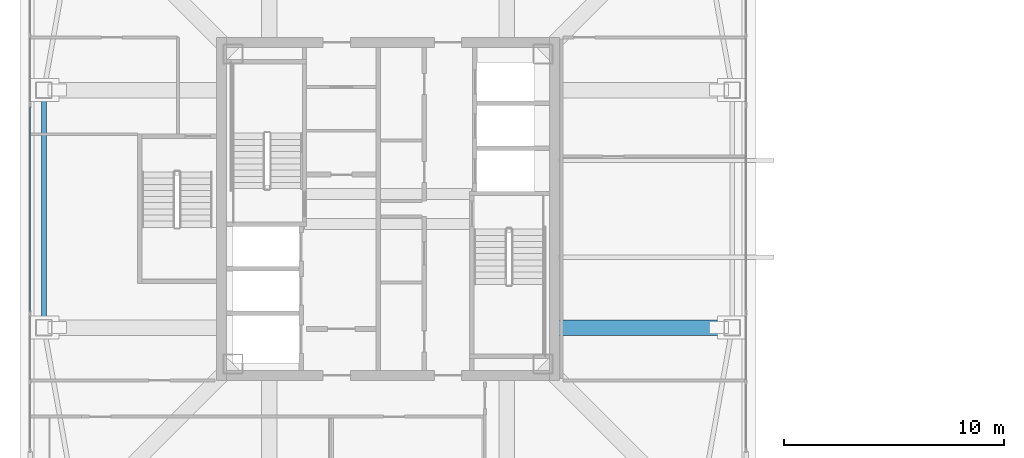
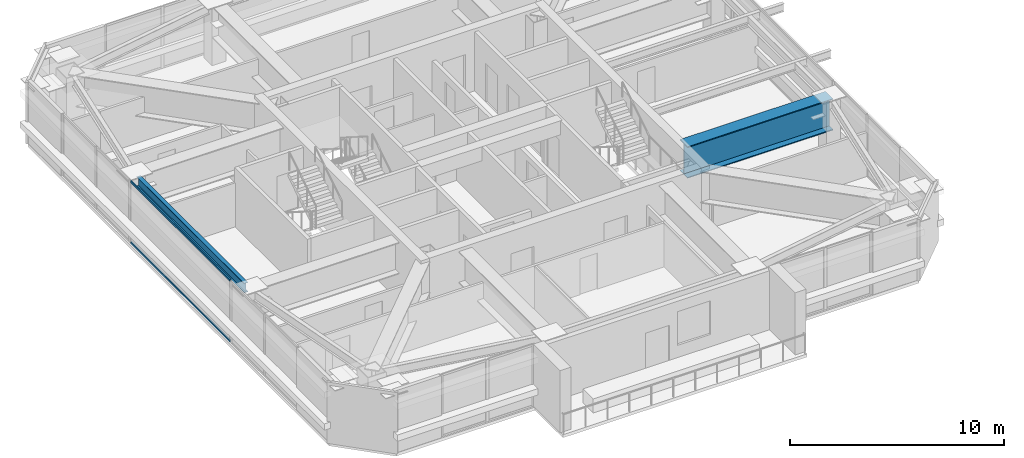
# One storey, part 7 of 40: 2 beams, 2 members, 1 element without a shape of its own.
"""IFC4 building model written with IfcOpenShell, lengths in metres."""

import ifcopenshell
import ifcopenshell.guid

model = None  # the IFC model being written
_history = None  # IfcOwnerHistory: only IFC2X3 demands one
_inside = {}  # id of a spatial element -> (the spatial element, [elements in it])
_under = {}  # id of a project, library or spatial element -> (it, [spatial elements below it])
_declared = {}  # id of a project -> (the project, [libraries it declares])
_typed = {}  # id of a type object -> (the type object, [elements of that type])
_made_of = {}  # id of a material, layer set ... -> (it, [elements and type objects made of it])


def new_model(schema):
    """Start an empty IFC model of exactly this schema.

    Asked for "IFC4X3", IfcOpenShell would pick the latest addendum, in which some entities
    have other attributes; the version numbers below select the first issue.
    IFC2X3 requires an IfcOwnerHistory on every rooted entity: one is made here for all.
    """
    global model, _history
    if schema == "IFC4X3":
        model = ifcopenshell.file(schema_version=(4, 3, 0, 0))
    else:
        model = ifcopenshell.file(schema=schema)
    _inside.clear()
    _under.clear()
    _declared.clear()
    _typed.clear()
    _made_of.clear()
    _history = None
    if model.schema == "IFC2X3":
        org = make("IfcOrganization", Name="unknown")
        user = make(
            "IfcPersonAndOrganization",
            ThePerson=make("IfcPerson", FamilyName="unknown"),
            TheOrganization=org,
        )
        app = make(
            "IfcApplication",
            ApplicationDeveloper=org,
            Version="unknown",
            ApplicationFullName="unknown",
            ApplicationIdentifier="unknown",
        )
        _history = make(
            "IfcOwnerHistory",
            OwningUser=user,
            OwningApplication=app,
            ChangeAction="ADDED",
            CreationDate=0,
        )
    return model


def make(cls, **values):
    """One entity of the class cls with the attributes given. An attribute that is None is left unset."""
    return model.create_entity(
        cls, **{name: value for name, value in values.items() if value is not None}
    )


def rooted(cls, **values):
    """An entity with a GlobalId (a new one), such as an element, a storey or a relation."""
    return make(cls, GlobalId=ifcopenshell.guid.new(), OwnerHistory=_history, **values)


def si_unit(unit_type, name, prefix=None):
    """IfcSIUnit, for example si_unit("LENGTHUNIT", "METRE", prefix="MILLI")."""
    return make("IfcSIUnit", UnitType=unit_type, Prefix=prefix, Name=name)


def assignment(units):
    """IfcUnitAssignment: the units of a project."""
    return None if units is None else make("IfcUnitAssignment", Units=units)


def point(xyz):
    """IfcCartesianPoint."""
    return None if xyz is None else make("IfcCartesianPoint", Coordinates=xyz)


def direction(xyz):
    """IfcDirection."""
    return None if xyz is None else make("IfcDirection", DirectionRatios=xyz)


def frame(location, z_axis=None, x_axis=None):
    """IfcAxis2Placement3D, a coordinate frame: its origin and axes. An axis left out is left unset."""
    return make(
        "IfcAxis2Placement3D",
        Location=point(location),
        Axis=direction(z_axis),
        RefDirection=direction(x_axis),
    )


def frame_2d(location, x_axis=None):
    """IfcAxis2Placement2D, a coordinate frame in the plane: its origin and x axis."""
    return make(
        "IfcAxis2Placement2D", Location=point(location), RefDirection=direction(x_axis)
    )


def origin():
    """The frame at (0, 0, 0) with its axes left unset."""
    return frame((0.0, 0.0, 0.0))


def origin_2d():
    """The frame at (0, 0) in the plane with its x axis left unset."""
    return frame_2d((0.0, 0.0))


def place(relative_to, where):
    """IfcLocalPlacement: puts the frame where relative to a parent placement (None: the world)."""
    return make(
        "IfcLocalPlacement", PlacementRelTo=relative_to, RelativePlacement=where
    )


def context(
    kind, dimensions, precision=None, world=None, true_north=None, identifier=None
):
    """IfcGeometricRepresentationContext, for example the 3D "Model" context."""
    return make(
        "IfcGeometricRepresentationContext",
        ContextIdentifier=identifier,
        ContextType=kind,
        CoordinateSpaceDimension=dimensions,
        Precision=precision,
        WorldCoordinateSystem=world,
        TrueNorth=true_north,
    )


def subcontext(parent, identifier, kind, view, scale=None):
    """IfcGeometricRepresentationSubContext, for example "Body" below "Model"."""
    return make(
        "IfcGeometricRepresentationSubContext",
        ContextIdentifier=identifier,
        ContextType=kind,
        ParentContext=parent,
        TargetScale=scale,
        TargetView=view,
    )


def project(units=None, contexts=None):
    """IfcProject with its units and contexts."""
    return rooted(
        "IfcProject",
        Name="project",
        RepresentationContexts=contexts,
        UnitsInContext=assignment(units),
    )


def spatial(cls, under=None, at=None, **own):
    """A site, building, storey or space (cls), placed at a placement, below another one or the project."""
    s = rooted(cls, ObjectPlacement=at, **own)
    if under is not None:
        _under.setdefault(under.id(), (under, []))[1].append(s)
    return s


def profile(cls, at=None, kind="AREA", **sizes):
    """A parametric profile (cls). Its sizes go by their IFC names, for example OverallWidth=200.0."""
    return make(cls, ProfileType=kind, Position=at, **sizes)


def hollow_rectangle(**sizes):
    """IfcRectangleHollowProfileDef."""
    return profile("IfcRectangleHollowProfileDef", **sizes)


def i_section(**sizes):
    """IfcIShapeProfileDef."""
    return profile("IfcIShapeProfileDef", **sizes)


def extrude(swept, where, along, depth):
    """IfcExtrudedAreaSolid: the profile swept, set in the frame where, extruded along a direction by depth."""
    return make(
        "IfcExtrudedAreaSolid",
        SweptArea=swept,
        Position=where,
        ExtrudedDirection=direction(along),
        Depth=depth,
    )


def shape(context_of_items, identifier, shape_type, items):
    """IfcShapeRepresentation: the items that make up one representation, for example the "Body"."""
    return make(
        "IfcShapeRepresentation",
        ContextOfItems=context_of_items,
        RepresentationIdentifier=identifier,
        RepresentationType=shape_type,
        Items=items,
    )


def material(Name=None, Category=None):
    """IfcMaterial."""
    return make("IfcMaterial", Name=Name, Category=Category)


def material_profile(
    of_material, cross_section, Name=None, Category=None, Priority=None
):
    """IfcMaterialProfile: a cross section and its material."""
    return make(
        "IfcMaterialProfile",
        Name=Name,
        Material=of_material,
        Profile=cross_section,
        Priority=Priority,
        Category=Category,
    )


def profile_set(profiles, Name=None, composite=None):
    """IfcMaterialProfileSet."""
    return make(
        "IfcMaterialProfileSet",
        Name=Name,
        MaterialProfiles=profiles,
        CompositeProfile=composite,
    )


def made_of(thing, what):
    """Note that an element or type object is made of a material, layer set ...; save() writes the relation."""
    if what is not None:
        _made_of.setdefault(what.id(), (what, []))[1].append(thing)
    return thing


def type_object(cls, material=None, **own):
    """A type object (cls), such as IfcWallType, which elements share."""
    return made_of(rooted(cls, **own), material)


def element(
    cls,
    number,
    at=None,
    inside=None,
    cuts=None,
    type_object=None,
    material=None,
    context=None,
    identifier="Body",
    shape_type=None,
    held_by="IfcProductDefinitionShape",
    body=None,
    shapes=None,
    **own,
):
    """One element of the class cls, such as IfcWall. Its Tag is "e" and its number.

    at: its placement. inside: the storey or other place that contains it. cuts: it is an
    opening in that element (IfcRelVoidsElement). A single representation is given by context,
    identifier, shape_type and body (its items); several are given by shapes. held_by: the class
    of the entity that holds the representations. save() writes the other relations.
    """
    e = rooted(cls, Tag="e%d" % number, ObjectPlacement=at, **own)
    if body is not None:
        shapes = [shape(context, identifier, shape_type, body)]
    if shapes is not None:
        e.Representation = make(held_by, Representations=shapes)
    if inside is not None:
        _inside.setdefault(inside.id(), (inside, []))[1].append(e)
    if cuts is not None:
        rooted(
            "IfcRelVoidsElement", RelatingBuildingElement=cuts, RelatedOpeningElement=e
        )
    if type_object is not None:
        _typed.setdefault(type_object.id(), (type_object, []))[1].append(e)
    return made_of(e, material)


def aggregate(whole, parts):
    """IfcRelAggregates: a whole, such as a stair, and the parts it consists of."""
    return rooted("IfcRelAggregates", RelatingObject=whole, RelatedObjects=parts)


def save(model, path):
    """Write the relations noted so far, then the file.

    IfcRelAggregates (storeys below a building ...), IfcRelContainedInSpatialStructure (elements
    in a storey), IfcRelDefinesByType, IfcRelAssociatesMaterial and IfcRelDeclares: one each for
    every whole, place, type object, material and project.
    """
    for whole, parts in _under.values():
        aggregate(whole, parts)
    for where, things in _inside.values():
        rooted(
            "IfcRelContainedInSpatialStructure",
            RelatedElements=things,
            RelatingStructure=where,
        )
    for kind, things in _typed.values():
        rooted("IfcRelDefinesByType", RelatedObjects=things, RelatingType=kind)
    for what, things in _made_of.values():
        rooted("IfcRelAssociatesMaterial", RelatedObjects=things, RelatingMaterial=what)
    for by, libraries in _declared.values():
        rooted("IfcRelDeclares", RelatingContext=by, RelatedDefinitions=libraries)
    model.write(path)


model = new_model("IFC4")

# Units and contexts
model_context = context("Model", 3, precision=1e-05, world=origin(), true_north=direction((0.0, 1.0)))
body_context = subcontext(model_context, "Body", "Model", "MODEL_VIEW")
ifc_project = project(units=[si_unit("LENGTHUNIT", "METRE"), si_unit("AREAUNIT", "SQUARE_METRE"), si_unit("VOLUMEUNIT", "CUBIC_METRE"), si_unit("PLANEANGLEUNIT", "RADIAN"), si_unit("MASSUNIT", "GRAM", prefix="KILO")], contexts=[model_context])

# Site, building, storey
site_placement = place(None, origin())
site = spatial("IfcSite", under=ifc_project, at=site_placement, CompositionType="ELEMENT")
building_placement = place(site_placement, origin())
building = spatial("IfcBuilding", under=site, at=building_placement, Name="Tashvorn Skyway Center", CompositionType="ELEMENT")
storey_placement = place(building_placement, frame((0.0, 0.0, 229.050048828125)))
storey = spatial("IfcBuildingStorey", under=building, at=storey_placement, Name="L62", CompositionType="ELEMENT", Elevation=229.050048828125)

# Beams
ifc_material_1 = material(Name="Steel ASTM A572 Grade 50", Category="steel")
ifc_material_profile_1 = material_profile(ifc_material_1, i_section(OverallWidth=0.699951171875, OverallDepth=1.800048828125, WebThickness=0.031982421875, FlangeThickness=0.050048828125, at=origin_2d()), Name="PG1800x700")
ifc_profile_set_1 = profile_set([ifc_material_profile_1], Name="Steel ASTM A572 Grade 50")
beam_type_1 = type_object("IfcBeamType", Name="BM-BEAM-PG1800x700", PredefinedType="BEAM", material=ifc_profile_set_1)
beam_1_placement = place(storey_placement, frame((57.64990234375, 26.60009765625, 2.469970703125), z_axis=(-1.0, 0.0, 0.0), x_axis=(0.0, -1.0, 0.0)))
element("IfcBeam", 1, at=beam_1_placement, inside=storey, type_object=beam_type_1, Name="Tower 1 L62 Setback Transfer Girder FC-E1", PredefinedType="BEAM", context=body_context, shape_type="SweptSolid", body=[
    extrude(i_section(OverallWidth=0.699951171875, OverallDepth=1.800048828125, WebThickness=0.031982421875, FlangeThickness=0.050048828125, at=origin_2d()), origin(), (0.0, 0.0, 1.0), 7.869873046875),
])
ifc_material_2 = material(Name="Steel ASTM A992 Grade 50", Category="steel")
ifc_material_profile_2 = material_profile(ifc_material_2, i_section(OverallWidth=0.2109375, OverallDepth=0.5390625, WebThickness=0.01171875, FlangeThickness=0.018798828125, at=origin_2d()), Name="W21X73")
ifc_profile_set_2 = profile_set([ifc_material_profile_2], Name="Steel ASTM A992 Grade 50")
beam_type_2 = type_object("IfcBeamType", Name="BM-SPANDREL-W21X73", PredefinedType="SPANDREL", material=ifc_profile_set_2)
beam_2_placement = place(storey_placement, frame((26.35009765625, 37.030029296875, 3.100341796875), z_axis=(0.0, -1.0, 0.0), x_axis=(1.0, 0.0, 0.0)))
element("IfcBeam", 2, at=beam_2_placement, inside=storey, type_object=beam_type_2, Name="Tower 1 L62 Spandrel Beam 11", PredefinedType="SPANDREL", context=body_context, shape_type="SweptSolid", body=[
    extrude(i_section(OverallWidth=0.2109375, OverallDepth=0.5390625, WebThickness=0.01171875, FlangeThickness=0.018798828125, at=origin_2d()), origin(), (0.0, 0.0, 1.0), 10.06005859375),
])

# Curtain wall, members
ifc_material_3 = material(Name="Thermally broken bronze-anodized aluminium 6063-T6", Category="aluminium")
curtain_wall_type = type_object("IfcCurtainWallType", Name="CW-CW-Z5", PredefinedType="NOTDEFINED", material=ifc_material_3)
curtain_wall_placement = place(storey_placement, origin())
curtain_wall = element("IfcCurtainWall", 3, at=curtain_wall_placement, inside=storey, type_object=curtain_wall_type, Name="Tower 1 L62 West Unitised Curtain Wall Glazing Group 2", PredefinedType="NOTDEFINED")
ifc_material_profile_3 = material_profile(ifc_material_3, hollow_rectangle(XDim=0.070068359375, YDim=0.114990234375, WallThickness=0.00390625, at=origin_2d()), Name="ALU-TRAN-70x115")
ifc_profile_set_3 = profile_set([ifc_material_profile_3], Name="Thermally broken bronze-anodized aluminium 6063-T6")
member_type = type_object("IfcMemberType", Name="CWT-CW-Z5", PredefinedType="USERDEFINED", material=ifc_profile_set_3)
member_1_placement = place(storey_placement, frame((25.719970703125, 27.34326171875, 0.034912109375), z_axis=(0.0, 1.0, 0.0), x_axis=(-1.0, 0.0, 0.0)))
member_1 = element("IfcMember", 4, at=member_1_placement, type_object=member_type, Name="CW-Z5 transom 1.1", ObjectType="TRANSOM", PredefinedType="USERDEFINED", context=body_context, shape_type="SweptSolid", body=[
    extrude(hollow_rectangle(XDim=0.070068359375, YDim=0.114990234375, WallThickness=0.00390625, at=origin_2d()), origin(), (0.0, 0.0, 1.0), 9.3134765625),
])
member_2_placement = place(storey_placement, frame((25.719970703125, 27.34326171875, 3.514892578125), z_axis=(0.0, 1.0, 0.0), x_axis=(-1.0, 0.0, 0.0)))
member_2 = element("IfcMember", 5, at=member_2_placement, type_object=member_type, Name="CW-Z5 transom 1.2", ObjectType="TRANSOM", PredefinedType="USERDEFINED", context=body_context, shape_type="SweptSolid", body=[
    extrude(hollow_rectangle(XDim=0.070068359375, YDim=0.114990234375, WallThickness=0.00390625, at=origin_2d()), origin(), (0.0, 0.0, 1.0), 9.3134765625),
])
aggregate(curtain_wall, [member_1, member_2])

save(model, "model.ifc")
